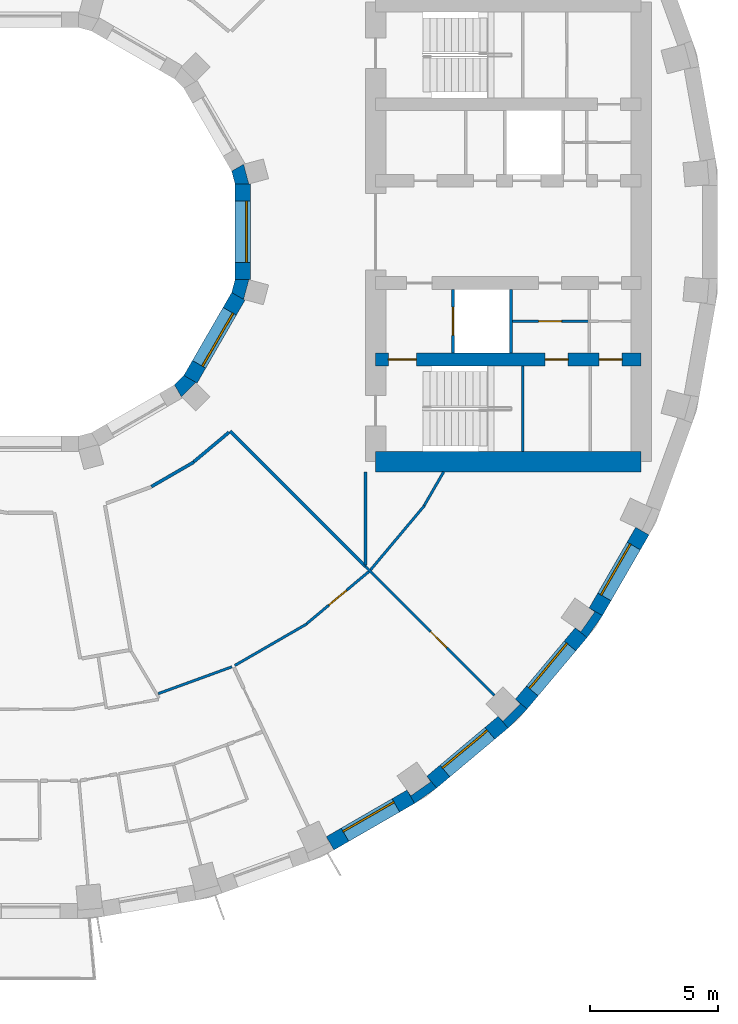
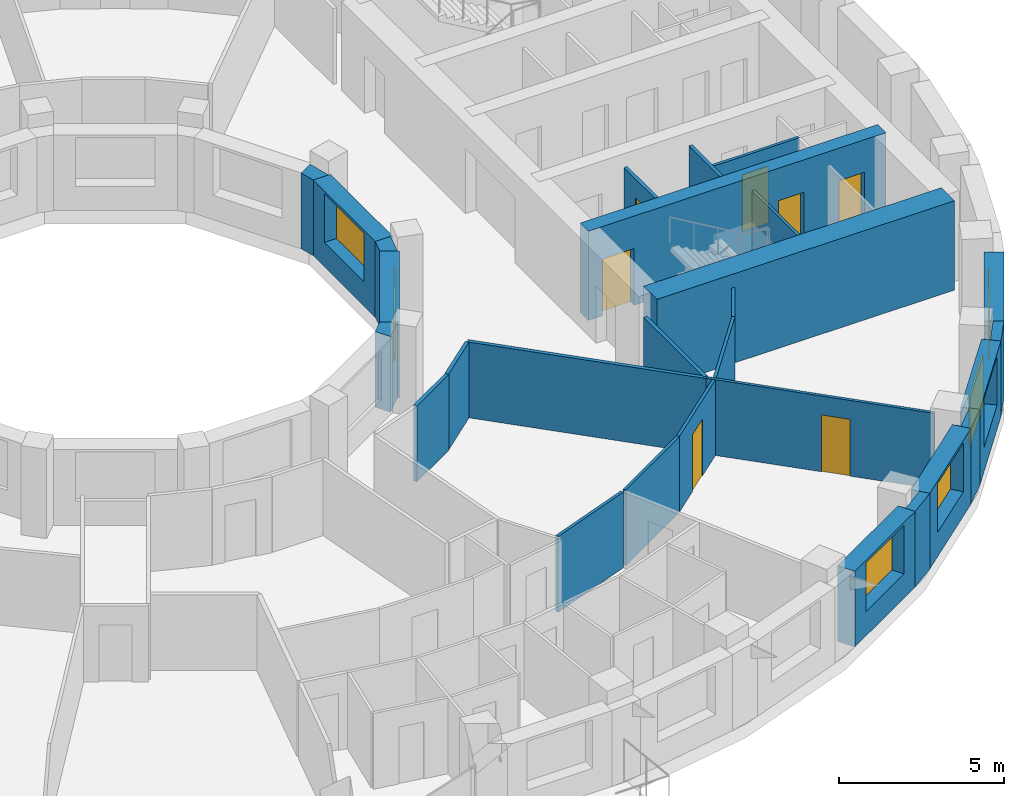
# One storey, part 7 of 14: 28 walls, 7 doors, 6 windows, 13 openings.
"""IFC4 building model written with IfcOpenShell, lengths in metres."""

import ifcopenshell
import ifcopenshell.guid

model = None  # the IFC model being written
_history = None  # IfcOwnerHistory: only IFC2X3 demands one
_inside = {}  # id of a spatial element -> (the spatial element, [elements in it])
_under = {}  # id of a project, library or spatial element -> (it, [spatial elements below it])
_declared = {}  # id of a project -> (the project, [libraries it declares])
_typed = {}  # id of a type object -> (the type object, [elements of that type])
_made_of = {}  # id of a material, layer set ... -> (it, [elements and type objects made of it])


def new_model(schema):
    """Start an empty IFC model of exactly this schema.

    Asked for "IFC4X3", IfcOpenShell would pick the latest addendum, in which some entities
    have other attributes; the version numbers below select the first issue.
    IFC2X3 requires an IfcOwnerHistory on every rooted entity: one is made here for all.
    """
    global model, _history
    if schema == "IFC4X3":
        model = ifcopenshell.file(schema_version=(4, 3, 0, 0))
    else:
        model = ifcopenshell.file(schema=schema)
    _inside.clear()
    _under.clear()
    _declared.clear()
    _typed.clear()
    _made_of.clear()
    _history = None
    if model.schema == "IFC2X3":
        org = make("IfcOrganization", Name="unknown")
        user = make(
            "IfcPersonAndOrganization",
            ThePerson=make("IfcPerson", FamilyName="unknown"),
            TheOrganization=org,
        )
        app = make(
            "IfcApplication",
            ApplicationDeveloper=org,
            Version="unknown",
            ApplicationFullName="unknown",
            ApplicationIdentifier="unknown",
        )
        _history = make(
            "IfcOwnerHistory",
            OwningUser=user,
            OwningApplication=app,
            ChangeAction="ADDED",
            CreationDate=0,
        )
    return model


def make(cls, **values):
    """One entity of the class cls with the attributes given. An attribute that is None is left unset."""
    return model.create_entity(
        cls, **{name: value for name, value in values.items() if value is not None}
    )


def rooted(cls, **values):
    """An entity with a GlobalId (a new one), such as an element, a storey or a relation."""
    return make(cls, GlobalId=ifcopenshell.guid.new(), OwnerHistory=_history, **values)


def si_unit(unit_type, name, prefix=None):
    """IfcSIUnit, for example si_unit("LENGTHUNIT", "METRE", prefix="MILLI")."""
    return make("IfcSIUnit", UnitType=unit_type, Prefix=prefix, Name=name)


def assignment(units):
    """IfcUnitAssignment: the units of a project."""
    return None if units is None else make("IfcUnitAssignment", Units=units)


def point(xyz):
    """IfcCartesianPoint."""
    return None if xyz is None else make("IfcCartesianPoint", Coordinates=xyz)


def direction(xyz):
    """IfcDirection."""
    return None if xyz is None else make("IfcDirection", DirectionRatios=xyz)


def frame(location, z_axis=None, x_axis=None):
    """IfcAxis2Placement3D, a coordinate frame: its origin and axes. An axis left out is left unset."""
    return make(
        "IfcAxis2Placement3D",
        Location=point(location),
        Axis=direction(z_axis),
        RefDirection=direction(x_axis),
    )


def frame_2d(location, x_axis=None):
    """IfcAxis2Placement2D, a coordinate frame in the plane: its origin and x axis."""
    return make(
        "IfcAxis2Placement2D", Location=point(location), RefDirection=direction(x_axis)
    )


def origin():
    """The frame at (0, 0, 0) with its axes left unset."""
    return frame((0.0, 0.0, 0.0))


def place(relative_to, where):
    """IfcLocalPlacement: puts the frame where relative to a parent placement (None: the world)."""
    return make(
        "IfcLocalPlacement", PlacementRelTo=relative_to, RelativePlacement=where
    )


def context(
    kind, dimensions, precision=None, world=None, true_north=None, identifier=None
):
    """IfcGeometricRepresentationContext, for example the 3D "Model" context."""
    return make(
        "IfcGeometricRepresentationContext",
        ContextIdentifier=identifier,
        ContextType=kind,
        CoordinateSpaceDimension=dimensions,
        Precision=precision,
        WorldCoordinateSystem=world,
        TrueNorth=true_north,
    )


def subcontext(parent, identifier, kind, view, scale=None):
    """IfcGeometricRepresentationSubContext, for example "Body" below "Model"."""
    return make(
        "IfcGeometricRepresentationSubContext",
        ContextIdentifier=identifier,
        ContextType=kind,
        ParentContext=parent,
        TargetScale=scale,
        TargetView=view,
    )


def project(units=None, contexts=None):
    """IfcProject with its units and contexts."""
    return rooted(
        "IfcProject",
        Name="project",
        RepresentationContexts=contexts,
        UnitsInContext=assignment(units),
    )


def spatial(cls, under=None, at=None, **own):
    """A site, building, storey or space (cls), placed at a placement, below another one or the project."""
    s = rooted(cls, ObjectPlacement=at, **own)
    if under is not None:
        _under.setdefault(under.id(), (under, []))[1].append(s)
    return s


def polyline(points):
    """IfcPolyline through the points."""
    return make("IfcPolyline", Points=[point(p) for p in points])


def profile(cls, at=None, kind="AREA", **sizes):
    """A parametric profile (cls). Its sizes go by their IFC names, for example OverallWidth=200.0."""
    return make(cls, ProfileType=kind, Position=at, **sizes)


def rectangle(**sizes):
    """IfcRectangleProfileDef."""
    return profile("IfcRectangleProfileDef", **sizes)


def outline(outer, holes=None, kind="AREA"):
    """IfcArbitraryClosedProfileDef: a profile drawn as a closed curve; with holes, ...WithVoids."""
    if holes is None:
        return make("IfcArbitraryClosedProfileDef", ProfileType=kind, OuterCurve=outer)
    return make(
        "IfcArbitraryProfileDefWithVoids",
        ProfileType=kind,
        OuterCurve=outer,
        InnerCurves=holes,
    )


def extrude(swept, where, along, depth):
    """IfcExtrudedAreaSolid: the profile swept, set in the frame where, extruded along a direction by depth."""
    return make(
        "IfcExtrudedAreaSolid",
        SweptArea=swept,
        Position=where,
        ExtrudedDirection=direction(along),
        Depth=depth,
    )


def shape(context_of_items, identifier, shape_type, items):
    """IfcShapeRepresentation: the items that make up one representation, for example the "Body"."""
    return make(
        "IfcShapeRepresentation",
        ContextOfItems=context_of_items,
        RepresentationIdentifier=identifier,
        RepresentationType=shape_type,
        Items=items,
    )


def material(Name=None, Category=None):
    """IfcMaterial."""
    return make("IfcMaterial", Name=Name, Category=Category)


def layer(
    of_material, thickness, ventilated=None, Name=None, Category=None, Priority=None
):
    """IfcMaterialLayer: one layer of a wall or slab, of a material (None: an air gap)."""
    return make(
        "IfcMaterialLayer",
        Material=of_material,
        LayerThickness=thickness,
        IsVentilated=ventilated,
        Name=Name,
        Category=Category,
        Priority=Priority,
    )


def layer_set(layers, Name=None):
    """IfcMaterialLayerSet."""
    return make("IfcMaterialLayerSet", MaterialLayers=layers, LayerSetName=Name)


def made_of(thing, what):
    """Note that an element or type object is made of a material, layer set ...; save() writes the relation."""
    if what is not None:
        _made_of.setdefault(what.id(), (what, []))[1].append(thing)
    return thing


def type_object(cls, material=None, **own):
    """A type object (cls), such as IfcWallType, which elements share."""
    return made_of(rooted(cls, **own), material)


def element(
    cls,
    number,
    at=None,
    inside=None,
    cuts=None,
    type_object=None,
    material=None,
    context=None,
    identifier="Body",
    shape_type=None,
    held_by="IfcProductDefinitionShape",
    body=None,
    shapes=None,
    **own,
):
    """One element of the class cls, such as IfcWall. Its Tag is "e" and its number.

    at: its placement. inside: the storey or other place that contains it. cuts: it is an
    opening in that element (IfcRelVoidsElement). A single representation is given by context,
    identifier, shape_type and body (its items); several are given by shapes. held_by: the class
    of the entity that holds the representations. save() writes the other relations.
    """
    e = rooted(cls, Tag="e%d" % number, ObjectPlacement=at, **own)
    if body is not None:
        shapes = [shape(context, identifier, shape_type, body)]
    if shapes is not None:
        e.Representation = make(held_by, Representations=shapes)
    if inside is not None:
        _inside.setdefault(inside.id(), (inside, []))[1].append(e)
    if cuts is not None:
        rooted(
            "IfcRelVoidsElement", RelatingBuildingElement=cuts, RelatedOpeningElement=e
        )
    if type_object is not None:
        _typed.setdefault(type_object.id(), (type_object, []))[1].append(e)
    return made_of(e, material)


def fill(opening, filler):
    """IfcRelFillsElement: the door or window that sits in an opening."""
    return rooted(
        "IfcRelFillsElement",
        RelatingOpeningElement=opening,
        RelatedBuildingElement=filler,
    )


def aggregate(whole, parts):
    """IfcRelAggregates: a whole, such as a stair, and the parts it consists of."""
    return rooted("IfcRelAggregates", RelatingObject=whole, RelatedObjects=parts)


def save(model, path):
    """Write the relations noted so far, then the file.

    IfcRelAggregates (storeys below a building ...), IfcRelContainedInSpatialStructure (elements
    in a storey), IfcRelDefinesByType, IfcRelAssociatesMaterial and IfcRelDeclares: one each for
    every whole, place, type object, material and project.
    """
    for whole, parts in _under.values():
        aggregate(whole, parts)
    for where, things in _inside.values():
        rooted(
            "IfcRelContainedInSpatialStructure",
            RelatedElements=things,
            RelatingStructure=where,
        )
    for kind, things in _typed.values():
        rooted("IfcRelDefinesByType", RelatedObjects=things, RelatingType=kind)
    for what, things in _made_of.values():
        rooted("IfcRelAssociatesMaterial", RelatedObjects=things, RelatingMaterial=what)
    for by, libraries in _declared.values():
        rooted("IfcRelDeclares", RelatingContext=by, RelatedDefinitions=libraries)
    model.write(path)


model = new_model("IFC4")

# Units and contexts
model_context = context("Model", 3, precision=1e-05, world=origin(), true_north=direction((0.0, 1.0)))
body_context = subcontext(model_context, "Body", "Model", "MODEL_VIEW")
ifc_project = project(units=[si_unit("LENGTHUNIT", "METRE"), si_unit("AREAUNIT", "SQUARE_METRE"), si_unit("VOLUMEUNIT", "CUBIC_METRE"), si_unit("PLANEANGLEUNIT", "RADIAN"), si_unit("MASSUNIT", "GRAM", prefix="KILO")], contexts=[model_context])

# Site, building, storey
site_placement = place(None, origin())
site = spatial("IfcSite", under=ifc_project, at=site_placement, CompositionType="ELEMENT")
building_placement = place(site_placement, origin())
building = spatial("IfcBuilding", under=site, at=building_placement, Name="Saqina Gate Tower", CompositionType="ELEMENT")
storey_placement = place(building_placement, frame((0.0, 0.0, 138.10009765625)))
storey = spatial("IfcBuildingStorey", under=building, at=storey_placement, Name="L39", CompositionType="ELEMENT", Elevation=138.10009765625)

# Walls
ifc_material_1 = material(Name="Brick masonry (buff)", Category="masonry")
wall_type_1 = type_object("IfcWallType", Name="BRICK PIER COPING BUFF", PredefinedType="SOLIDWALL", material=ifc_material_1)
wall_1_placement = place(storey_placement, origin())
element("IfcWall", 1, at=wall_1_placement, inside=storey, type_object=wall_type_1, Name="Pier cap L39 column 31", PredefinedType="SOLIDWALL", context=body_context, shape_type="SweptSolid", body=[
    extrude(outline(polyline([(15.89208984375, -21.77685546875), (15.50634765625, -21.317138671875), (15.66064453125, -21.53759765625), (14.88232421875, -22.08251953125), (14.728271484375, -21.862060546875), (15.0283203125, -22.3818359375), (15.89208984375, -21.77685546875)])), origin(), (0.0, 0.0, 1.0), 2.7998046875),
])
wall_2_placement = place(storey_placement, origin())
element("IfcWall", 2, at=wall_2_placement, inside=storey, type_object=wall_type_1, Name="Pier cap L39 column 32", PredefinedType="SOLIDWALL", context=body_context, shape_type="SweptSolid", body=[
    extrude(outline(polyline([(18.686279296875, -19.43212890625), (19.43212890625, -18.686279296875), (18.972412109375, -18.30078125), (19.16259765625, -18.49072265625), (18.49072265625, -19.16259765625), (18.30078125, -18.972412109375), (18.686279296875, -19.43212890625)])), origin(), (0.0, 0.0, 1.0), 2.7998046875),
])
wall_3_placement = place(storey_placement, origin())
element("IfcWall", 3, at=wall_3_placement, inside=storey, type_object=wall_type_1, Name="Pier cap L39 column 33", PredefinedType="SOLIDWALL", context=body_context, shape_type="SweptSolid", body=[
    extrude(outline(polyline([(22.3818359375, -15.0283203125), (21.862060546875, -14.728271484375), (22.08251953125, -14.88232421875), (21.53759765625, -15.66064453125), (21.317138671875, -15.50634765625), (21.77685546875, -15.89208984375), (22.3818359375, -15.0283203125)])), origin(), (0.0, 0.0, 1.0), 2.7998046875),
])

# Wall, opening, door
ifc_material_2 = material(Name="Gypsum board on steel studs", Category="steel")
ifc_layer_1 = layer(ifc_material_2, 0.10009765625)
ifc_layer_set_1 = layer_set([ifc_layer_1], Name="CORE PARTITION")
wall_type_2 = type_object("IfcWallType", Name="CORE PARTITION", PredefinedType="PARTITIONING", material=ifc_layer_set_1)
wall_4_placement = place(storey_placement, frame((18.81005859375, -3.5, 0.0), z_axis=(0.0, 0.0, 1.0), x_axis=(1.0, 0.0, 0.0)))
wall_4 = element("IfcWall", 4, at=wall_4_placement, inside=storey, type_object=wall_type_2, Name="L39-CP-E10", PredefinedType="PARTITIONING", context=body_context, shape_type="SweptSolid", body=[
    extrude(rectangle(XDim=3.04833984375, YDim=0.10009765625, at=frame_2d((1.524169921875, 0.0))), origin(), (0.0, 0.0, 1.0), 2.7998046875),
])
opening_1_placement = place(wall_4_placement, frame((1.07421875, 0.0, 0.0)))
opening_1 = element("IfcOpeningElement", 5, at=opening_1_placement, cuts=wall_4, Name="Opening G11-D102", PredefinedType="OPENING", context=body_context, shape_type="SweptSolid", body=[
    extrude(rectangle(XDim=0.89990234375, YDim=2.10009765625, at=frame_2d((0.449951171875, 1.050048828125))), frame((0.0, 0.06201171875, 0.0), z_axis=(0.0, -1.0, 0.0), x_axis=(1.0, 0.0, 0.0)), (0.0, 0.0, 1.0), 0.1240234375),
])
ifc_material_3 = material(Name="Steel-framed fire door leaf, EI 60", Category="steel")
door_type_1 = type_object("IfcDoorType", Name="SERVICE ROOM DOOR 900", OperationType="SINGLE_SWING_LEFT", PredefinedType="DOOR", material=ifc_material_3)
door_1_placement = place(opening_1_placement, frame((0.89990234375, 0.0, 0.0), z_axis=(0.0, 0.0, 1.0), x_axis=(-1.0, 0.0, 0.0)))
door_1 = element("IfcDoor", 6, at=door_1_placement, inside=storey, type_object=door_type_1, Name="L39-CD-E13", OperationType="SINGLE_SWING_RIGHT", OverallHeight=2.10009765625, OverallWidth=0.89990234375, PredefinedType="DOOR", context=body_context, shape_type="SweptSolid", body=[
    extrude(rectangle(XDim=0.89990234375, YDim=2.10009765625, at=frame_2d((0.449951171875, 1.050048828125))), frame((0.0, 0.02490234375, 0.0), z_axis=(0.0, -1.0, 0.0), x_axis=(1.0, 0.0, 0.0)), (0.0, 0.0, 1.0), 0.050048828125),
])
fill(opening_1, door_1)

# Wall, opening, window
ifc_material_4 = material(Name="Brick masonry (buff)", Category="masonry")
ifc_layer_2 = layer(ifc_material_4, 0.60009765625)
ifc_layer_set_2 = layer_set([ifc_layer_2], Name="FW-BRICK-BUFF")
wall_type_3 = type_object("IfcWallType", Name="FW-BRICK-BUFF", PredefinedType="SOLIDWALL", material=ifc_layer_set_2)
wall_5_placement = place(storey_placement, frame((11.718994140625, -23.94580078125, 0.0), z_axis=(0.0, 0.0, 1.0), x_axis=(0.866051847062, 0.499954196102, 0.0)))
wall_5 = element("IfcWall", 7, at=wall_5_placement, inside=storey, type_object=wall_type_3, Name="Facade wall L39 facet 30", PredefinedType="SOLIDWALL", context=body_context, shape_type="SweptSolid", body=[
    extrude(rectangle(XDim=3.647705078125, YDim=0.60009765625, at=frame_2d((1.82373046875, 0.0))), origin(), (0.0, 0.0, 1.0), 2.7998046875),
])
opening_2_placement = place(wall_5_placement, frame((0.673828125, 0.0, 0.89990234375)))
opening_2 = element("IfcOpeningElement", 8, at=opening_2_placement, cuts=wall_5, Name="Opening G11-W19", PredefinedType="OPENING", context=body_context, shape_type="SweptSolid", body=[
    extrude(rectangle(XDim=2.300048828125, YDim=1.800048828125, at=frame_2d((1.14990234375, 0.89990234375))), frame((0.0, 0.31201171875, 0.0), z_axis=(0.0, -1.0, 0.0), x_axis=(1.0, 0.0, 0.0)), (0.0, 0.0, 1.0), 0.6240234375),
])
ifc_material_5 = material(Name="Aluminium glazing", Category="aluminium")
window_type_1 = type_object("IfcWindowType", Name="WN-B", PartitioningType="SINGLE_PANEL", PredefinedType="WINDOW", material=ifc_material_5)
window_1_placement = place(opening_2_placement, origin())
window_1 = element("IfcWindow", 9, at=window_1_placement, inside=storey, type_object=window_type_1, Name="Window L39 facet 30", OverallHeight=1.800048828125, OverallWidth=2.300048828125, PartitioningType="SINGLE_PANEL", PredefinedType="WINDOW", context=body_context, shape_type="SweptSolid", body=[
    extrude(rectangle(XDim=2.300048828125, YDim=1.800048828125, at=frame_2d((1.14990234375, 0.89990234375))), frame((0.0, 0.179931640625, 0.0), z_axis=(0.0, -1.0, 0.0), x_axis=(1.0, 0.0, 0.0)), (0.0, 0.0, 1.0), 0.06005859375),
])
fill(opening_2, window_1)

wall_6_placement = place(storey_placement, frame((15.69921875, -21.547119140625, 0.0), z_axis=(0.0, 0.0, 1.0), x_axis=(0.766055462616, 0.642774476932, 0.0)))
wall_6 = element("IfcWall", 10, at=wall_6_placement, inside=storey, type_object=wall_type_3, Name="Facade wall L39 facet 31", PredefinedType="SOLIDWALL", context=body_context, shape_type="SweptSolid", body=[
    extrude(rectangle(XDim=3.647705078125, YDim=0.60009765625, at=frame_2d((1.82373046875, 0.0))), origin(), (0.0, 0.0, 1.0), 2.7998046875),
])
opening_3_placement = place(wall_6_placement, frame((0.673828125, 0.0, 0.89990234375)))
opening_3 = element("IfcOpeningElement", 11, at=opening_3_placement, cuts=wall_6, Name="Opening G11-W20", PredefinedType="OPENING", context=body_context, shape_type="SweptSolid", body=[
    extrude(rectangle(XDim=2.300048828125, YDim=1.800048828125, at=frame_2d((1.14990234375, 0.89990234375))), frame((0.0, 0.31201171875, 0.0), z_axis=(0.0, -1.0, 0.0), x_axis=(1.0, 0.0, 0.0)), (0.0, 0.0, 1.0), 0.6240234375),
])
window_2_placement = place(opening_3_placement, origin())
window_2 = element("IfcWindow", 12, at=window_2_placement, inside=storey, type_object=window_type_1, Name="Window L39 facet 31", OverallHeight=1.800048828125, OverallWidth=2.300048828125, PartitioningType="SINGLE_PANEL", PredefinedType="WINDOW", context=body_context, shape_type="SweptSolid", body=[
    extrude(rectangle(XDim=2.300048828125, YDim=1.800048828125, at=frame_2d((1.14990234375, 0.89990234375))), frame((0.0, 0.179931640625, 0.0), z_axis=(0.0, -1.0, 0.0), x_axis=(1.0, 0.0, 0.0)), (0.0, 0.0, 1.0), 0.06005859375),
])
fill(opening_3, window_2)

wall_7_placement = place(storey_placement, frame((19.202392578125, -18.49365234375, 0.0), z_axis=(0.0, 0.0, 1.0), x_axis=(0.642774476932, 0.766055462616, 0.0)))
wall_7 = element("IfcWall", 13, at=wall_7_placement, inside=storey, type_object=wall_type_3, Name="Facade wall L39 facet 32", PredefinedType="SOLIDWALL", context=body_context, shape_type="SweptSolid", body=[
    extrude(rectangle(XDim=3.647705078125, YDim=0.60009765625, at=frame_2d((1.82373046875, 0.0))), origin(), (0.0, 0.0, 1.0), 2.7998046875),
])
opening_4_placement = place(wall_7_placement, frame((0.673828125, 0.0, 0.89990234375)))
opening_4 = element("IfcOpeningElement", 14, at=opening_4_placement, cuts=wall_7, Name="Opening G11-W21", PredefinedType="OPENING", context=body_context, shape_type="SweptSolid", body=[
    extrude(rectangle(XDim=2.300048828125, YDim=1.800048828125, at=frame_2d((1.14990234375, 0.89990234375))), frame((0.0, 0.31201171875, 0.0), z_axis=(0.0, -1.0, 0.0), x_axis=(1.0, 0.0, 0.0)), (0.0, 0.0, 1.0), 0.6240234375),
])
window_3_placement = place(opening_4_placement, origin())
window_3 = element("IfcWindow", 15, at=window_3_placement, inside=storey, type_object=window_type_1, Name="Window L39 facet 32", OverallHeight=1.800048828125, OverallWidth=2.300048828125, PartitioningType="SINGLE_PANEL", PredefinedType="WINDOW", context=body_context, shape_type="SweptSolid", body=[
    extrude(rectangle(XDim=2.300048828125, YDim=1.800048828125, at=frame_2d((1.14990234375, 0.89990234375))), frame((0.0, 0.179931640625, 0.0), z_axis=(0.0, -1.0, 0.0), x_axis=(1.0, 0.0, 0.0)), (0.0, 0.0, 1.0), 0.06005859375),
])
fill(opening_4, window_3)

wall_8_placement = place(storey_placement, frame((22.1220703125, -14.878173828125, 0.0), z_axis=(0.0, 0.0, 1.0), x_axis=(0.499954196102, 0.866051847062, 0.0)))
wall_8 = element("IfcWall", 16, at=wall_8_placement, inside=storey, type_object=wall_type_3, Name="Facade wall L39 facet 33", PredefinedType="SOLIDWALL", context=body_context, shape_type="SweptSolid", body=[
    extrude(rectangle(XDim=3.647705078125, YDim=0.60009765625, at=frame_2d((1.82373046875, 0.0))), origin(), (0.0, 0.0, 1.0), 2.7998046875),
])
opening_5_placement = place(wall_8_placement, frame((0.673828125, 0.0, 0.89990234375)))
opening_5 = element("IfcOpeningElement", 17, at=opening_5_placement, cuts=wall_8, Name="Opening G11-W22", PredefinedType="OPENING", context=body_context, shape_type="SweptSolid", body=[
    extrude(rectangle(XDim=2.300048828125, YDim=1.800048828125, at=frame_2d((1.14990234375, 0.89990234375))), frame((0.0, 0.31201171875, 0.0), z_axis=(0.0, -1.0, 0.0), x_axis=(1.0, 0.0, 0.0)), (0.0, 0.0, 1.0), 0.6240234375),
])
window_4_placement = place(opening_5_placement, origin())
window_4 = element("IfcWindow", 18, at=window_4_placement, inside=storey, type_object=window_type_1, Name="Window L39 facet 33", OverallHeight=1.800048828125, OverallWidth=2.300048828125, PartitioningType="SINGLE_PANEL", PredefinedType="WINDOW", context=body_context, shape_type="SweptSolid", body=[
    extrude(rectangle(XDim=2.300048828125, YDim=1.800048828125, at=frame_2d((1.14990234375, 0.89990234375))), frame((0.0, 0.179931640625, 0.0), z_axis=(0.0, -1.0, 0.0), x_axis=(1.0, 0.0, 0.0)), (0.0, 0.0, 1.0), 0.06005859375),
])
fill(opening_5, window_4)

ifc_material_6 = material(Name="Glazed ceramic tile", Category="ceramic")
ifc_layer_3 = layer(ifc_material_6, 0.60009765625)
ifc_layer_set_3 = layer_set([ifc_layer_3], Name="IW-TILE")
wall_type_4 = type_object("IfcWallType", Name="IW-TILE", PredefinedType="SOLIDWALL", material=ifc_layer_set_3)
wall_9_placement = place(storey_placement, frame((6.251220703125, -5.772705078125, 0.0), z_axis=(0.0, 0.0, 1.0), x_axis=(0.499964958637, 0.86604563398, 0.0)))
wall_9 = element("IfcWall", 19, at=wall_9_placement, inside=storey, type_object=wall_type_4, Name="Well wall L39 facet 11", PredefinedType="SOLIDWALL", context=body_context, shape_type="SweptSolid", body=[
    extrude(rectangle(XDim=3.747314453125, YDim=0.60009765625, at=frame_2d((1.87353515625, 0.0))), origin(), (0.0, 0.0, 1.0), 2.7998046875),
])
opening_6_placement = place(wall_9_placement, frame((0.673583984375, 0.0, 0.89990234375)))
opening_6 = element("IfcOpeningElement", 20, at=opening_6_placement, cuts=wall_9, Name="Opening G11-W33", PredefinedType="OPENING", context=body_context, shape_type="SweptSolid", body=[
    extrude(rectangle(XDim=2.39990234375, YDim=1.800048828125, at=frame_2d((1.199951171875, 0.89990234375))), frame((0.0, 0.31201171875, 0.0), z_axis=(0.0, -1.0, 0.0), x_axis=(1.0, 0.0, 0.0)), (0.0, 0.0, 1.0), 0.6240234375),
])
ifc_material_7 = material(Name="Aluminium glazing", Category="aluminium")
window_type_2 = type_object("IfcWindowType", Name="WN-W", PartitioningType="SINGLE_PANEL", PredefinedType="WINDOW", material=ifc_material_7)
window_5_placement = place(opening_6_placement, origin())
window_5 = element("IfcWindow", 21, at=window_5_placement, inside=storey, type_object=window_type_2, Name="Well window L39 facet 11", OverallHeight=1.800048828125, OverallWidth=2.39990234375, PartitioningType="SINGLE_PANEL", PredefinedType="WINDOW", context=body_context, shape_type="SweptSolid", body=[
    extrude(rectangle(XDim=2.39990234375, YDim=1.800048828125, at=frame_2d((1.199951171875, 0.89990234375))), frame((0.0, -0.119873046875, 0.0), z_axis=(0.0, -1.0, 0.0), x_axis=(1.0, 0.0, 0.0)), (0.0, 0.0, 1.0), 0.06005859375),
])
fill(opening_6, window_5)

wall_10_placement = place(storey_placement, frame((8.300048828125, -1.873779296875, 0.0), z_axis=(0.0, 0.0, 1.0), x_axis=(0.0, 1.0, 0.0)))
wall_10 = element("IfcWall", 22, at=wall_10_placement, inside=storey, type_object=wall_type_4, Name="Well wall L39 facet 12", PredefinedType="SOLIDWALL", context=body_context, shape_type="SweptSolid", body=[
    extrude(rectangle(XDim=3.74755859375, YDim=0.60009765625, at=frame_2d((1.873779296875, 0.0))), origin(), (0.0, 0.0, 1.0), 2.7998046875),
])
opening_7_placement = place(wall_10_placement, frame((0.673583984375, 0.0, 0.89990234375)))
opening_7 = element("IfcOpeningElement", 23, at=opening_7_placement, cuts=wall_10, Name="Opening G11-W34", PredefinedType="OPENING", context=body_context, shape_type="SweptSolid", body=[
    extrude(rectangle(XDim=2.39990234375, YDim=1.800048828125, at=frame_2d((1.199951171875, 0.89990234375))), frame((0.0, 0.31201171875, 0.0), z_axis=(0.0, -1.0, 0.0), x_axis=(1.0, 0.0, 0.0)), (0.0, 0.0, 1.0), 0.6240234375),
])
window_6_placement = place(opening_7_placement, origin())
window_6 = element("IfcWindow", 24, at=window_6_placement, inside=storey, type_object=window_type_2, Name="Well window L39 facet 12", OverallHeight=1.800048828125, OverallWidth=2.39990234375, PartitioningType="SINGLE_PANEL", PredefinedType="WINDOW", context=body_context, shape_type="SweptSolid", body=[
    extrude(rectangle(XDim=2.39990234375, YDim=1.800048828125, at=frame_2d((1.199951171875, 0.89990234375))), frame((0.0, -0.119873046875, 0.0), z_axis=(0.0, -1.0, 0.0), x_axis=(1.0, 0.0, 0.0)), (0.0, 0.0, 1.0), 0.06005859375),
])
fill(opening_7, window_6)

# Wall, opening, door
ifc_material_8 = material(Name="Gypsum board on steel studs, 100 mm", Category="steel")
ifc_layer_4 = layer(ifc_material_8, 0.10009765625)
ifc_layer_set_4 = layer_set([ifc_layer_4], Name="PARTITION 100")
wall_type_5 = type_object("IfcWallType", Name="PARTITION 100", PredefinedType="PARTITIONING", material=ifc_layer_set_4)
wall_11_placement = place(storey_placement, frame((13.10009765625, -13.10009765625, 0.0), z_axis=(0.0, 0.0, 1.0), x_axis=(0.707106781187, -0.707106781187, 0.0)))
wall_11 = element("IfcWall", 25, at=wall_11_placement, inside=storey, type_object=wall_type_5, Name="PARTITION PW3-22", PredefinedType="PARTITIONING", context=body_context, shape_type="SweptSolid", body=[
    extrude(rectangle(XDim=7.138671875, YDim=0.10009765625, at=frame_2d((3.5693359375, 0.0))), origin(), (0.0, 0.0, 1.0), 2.7998046875),
])
opening_8_placement = place(wall_11_placement, frame((3.60888671875, 0.0, 0.0)))
opening_8 = element("IfcOpeningElement", 26, at=opening_8_placement, cuts=wall_11, Name="Opening G11-D42", PredefinedType="OPENING", context=body_context, shape_type="SweptSolid", body=[
    extrude(rectangle(XDim=0.89990234375, YDim=2.10009765625, at=frame_2d((0.449951171875, 1.050048828125))), frame((0.0, 0.06201171875, 0.0), z_axis=(0.0, -1.0, 0.0), x_axis=(1.0, 0.0, 0.0)), (0.0, 0.0, 1.0), 0.1240234375),
])
ifc_material_9 = material(Name="Timber door leaf, 900 mm", Category="wood")
door_type_2 = type_object("IfcDoorType", Name="DOOR 900 TIMBER", OperationType="SINGLE_SWING_LEFT", PredefinedType="DOOR", material=ifc_material_9)
door_2_placement = place(opening_8_placement, origin())
door_2 = element("IfcDoor", 27, at=door_2_placement, inside=storey, type_object=door_type_2, Name="DOOR G11-D42", OperationType="SINGLE_SWING_RIGHT", OverallHeight=2.10009765625, OverallWidth=0.89990234375, PredefinedType="DOOR", context=body_context, shape_type="SweptSolid", body=[
    extrude(rectangle(XDim=0.89990234375, YDim=2.10009765625, at=frame_2d((0.449951171875, 1.050048828125))), frame((0.0, 0.02490234375, 0.0), z_axis=(0.0, -1.0, 0.0), x_axis=(1.0, 0.0, 0.0)), (0.0, 0.0, 1.0), 0.050048828125),
])
fill(opening_8, door_2)

# Walls
wall_12_placement = place(storey_placement, frame((4.9921875, -18.082275390625, 0.0), z_axis=(0.0, 0.0, 1.0), x_axis=(0.939709725343, 0.341973145284, 0.0)))
element("IfcWall", 28, at=wall_12_placement, inside=storey, type_object=wall_type_5, Name="PARTITION PW3-53", PredefinedType="PARTITIONING", context=body_context, shape_type="SweptSolid", body=[
    extrude(rectangle(XDim=3.06689453125, YDim=0.10009765625, at=frame_2d((1.533447265625, 0.0))), origin(), (0.0, 0.0, 1.0), 2.7998046875),
])
wall_13_placement = place(storey_placement, frame((7.987060546875, -16.980712890625, 0.0), z_axis=(0.0, 0.0, 1.0), x_axis=(0.865989766624, 0.500061720293, 0.0)))
element("IfcWall", 29, at=wall_13_placement, inside=storey, type_object=wall_type_5, Name="PARTITION PW3-58", PredefinedType="PARTITIONING", context=body_context, shape_type="SweptSolid", body=[
    extrude(rectangle(XDim=3.259765625, YDim=0.10009765625, at=frame_2d((1.6298828125, 0.0))), origin(), (0.0, 0.0, 1.0), 2.7998046875),
])

# Wall, opening, door
wall_14_placement = place(storey_placement, frame((10.80419921875, -15.34375, 0.0), z_axis=(0.0, 0.0, 1.0), x_axis=(0.766167094934, 0.642641410618, 0.0)))
wall_14 = element("IfcWall", 30, at=wall_14_placement, inside=storey, type_object=wall_type_5, Name="PARTITION PW3-63", PredefinedType="PARTITIONING", context=body_context, shape_type="SweptSolid", body=[
    extrude(rectangle(XDim=3.172119140625, YDim=0.10009765625, at=frame_2d((1.5859375, 0.0))), origin(), (0.0, 0.0, 1.0), 2.7998046875),
])
opening_9_placement = place(wall_14_placement, frame((1.135986328125, 0.0, 0.0)))
opening_9 = element("IfcOpeningElement", 31, at=opening_9_placement, cuts=wall_14, Name="Opening G11-D41", PredefinedType="OPENING", context=body_context, shape_type="SweptSolid", body=[
    extrude(rectangle(XDim=0.89990234375, YDim=2.10009765625, at=frame_2d((0.449951171875, 1.050048828125))), frame((0.0, 0.06201171875, 0.0), z_axis=(0.0, -1.0, 0.0), x_axis=(1.0, 0.0, 0.0)), (0.0, 0.0, 1.0), 0.1240234375),
])
door_3_placement = place(opening_9_placement, origin())
door_3 = element("IfcDoor", 32, at=door_3_placement, inside=storey, type_object=door_type_2, Name="DOOR G11-D41", OperationType="SINGLE_SWING_LEFT", OverallHeight=2.10009765625, OverallWidth=0.89990234375, PredefinedType="DOOR", context=body_context, shape_type="SweptSolid", body=[
    extrude(rectangle(XDim=0.89990234375, YDim=2.10009765625, at=frame_2d((0.449951171875, 1.050048828125))), frame((0.0, 0.02490234375, 0.0), z_axis=(0.0, -1.0, 0.0), x_axis=(1.0, 0.0, 0.0)), (0.0, 0.0, 1.0), 0.050048828125),
])
fill(opening_9, door_3)

# Walls
wall_15_placement = place(storey_placement, frame((13.30517578125, -13.234619140625, 0.0), z_axis=(0.0, 0.0, 1.0), x_axis=(0.642682886784, 0.766132303871, 0.0)))
element("IfcWall", 33, at=wall_15_placement, inside=storey, type_object=wall_type_5, Name="PARTITION PW3-68", PredefinedType="PARTITIONING", context=body_context, shape_type="SweptSolid", body=[
    extrude(rectangle(XDim=3.27294921875, YDim=0.10009765625, at=frame_2d((1.636474609375, 0.0))), origin(), (0.0, 0.0, 1.0), 2.7998046875),
])
wall_16_placement = place(storey_placement, frame((15.401123046875, -10.72265625, 0.0), z_axis=(0.0, 0.0, 1.0), x_axis=(0.500035603698, 0.866004847004, 0.0)))
element("IfcWall", 34, at=wall_16_placement, inside=storey, type_object=wall_type_5, Name="PARTITION PW3-74", PredefinedType="PARTITIONING", context=body_context, shape_type="SweptSolid", body=[
    extrude(rectangle(XDim=1.52978515625, YDim=0.10009765625, at=frame_2d((0.764892578125, 0.0))), origin(), (0.0, 0.0, 1.0), 2.7998046875),
])
ifc_material_10 = material(Name="Gypsum board on steel studs, 125 mm, fire rated", Category="steel")
ifc_layer_5 = layer(ifc_material_10, 0.125)
ifc_layer_set_5 = layer_set([ifc_layer_5], Name="PARTITION EI 30 125")
wall_type_6 = type_object("IfcWallType", Name="PARTITION EI 30 125", PredefinedType="PARTITIONING", material=ifc_layer_set_5)
wall_17_placement = place(storey_placement, frame((7.80810546875, -7.80810546875, 0.0), z_axis=(0.0, 0.0, 1.0), x_axis=(0.707106781187, -0.707106781187, 0.0)))
element("IfcWall", 35, at=wall_17_placement, inside=storey, type_object=wall_type_6, Name="PARTITION PW1-07", PredefinedType="PARTITIONING", context=body_context, shape_type="SweptSolid", body=[
    extrude(rectangle(XDim=7.48388671875, YDim=0.125, at=frame_2d((3.741943359375, 0.0))), origin(), (0.0, 0.0, 1.0), 2.7998046875),
])
wall_18_placement = place(storey_placement, frame((4.72119140625, -9.975830078125, 0.0), z_axis=(0.0, 0.0, 1.0), x_axis=(0.865946867621, 0.500136003959, 0.0)))
element("IfcWall", 36, at=wall_18_placement, inside=storey, type_object=wall_type_6, Name="PARTITION PW1-31", PredefinedType="PARTITIONING", context=body_context, shape_type="SweptSolid", body=[
    extrude(rectangle(XDim=1.9248046875, YDim=0.125, at=frame_2d((0.96240234375, 0.0))), origin(), (0.0, 0.0, 1.0), 2.7998046875),
])
wall_19_placement = place(storey_placement, frame((6.380859375, -9.0048828125, 0.0), z_axis=(0.0, 0.0, 1.0), x_axis=(0.766182926266, 0.642622535785, 0.0)))
element("IfcWall", 37, at=wall_19_placement, inside=storey, type_object=wall_type_6, Name="PARTITION PW1-34", PredefinedType="PARTITIONING", context=body_context, shape_type="SweptSolid", body=[
    extrude(rectangle(XDim=1.800048828125, YDim=0.125, at=frame_2d((0.89990234375, 0.0))), origin(), (0.0, 0.0, 1.0), 2.7998046875),
])
wall_20_placement = place(storey_placement, frame((13.10009765625, -13.03759765625, 0.0), z_axis=(0.0, 0.0, 1.0), x_axis=(0.0, 1.0, 0.0)))
element("IfcWall", 38, at=wall_20_placement, inside=storey, type_object=wall_type_6, Name="PARTITION PW1-45", PredefinedType="PARTITIONING", context=body_context, shape_type="SweptSolid", body=[
    extrude(rectangle(XDim=3.6376953125, YDim=0.125, at=frame_2d((1.81884765625, 0.0))), origin(), (0.0, 0.0, 1.0), 2.7998046875),
])

# Wall, opening, door
ifc_material_11 = material(Name="Autoclaved aerated concrete block", Category="concrete")
ifc_layer_6 = layer(ifc_material_11, 0.1201171875)
ifc_layer_set_6 = layer_set([ifc_layer_6], Name="SHAFT PARTITION")
wall_type_7 = type_object("IfcWallType", Name="SHAFT PARTITION", PredefinedType="PARTITIONING", material=ifc_layer_set_6)
wall_21_placement = place(storey_placement, frame((16.530029296875, -4.75, 0.0), z_axis=(0.0, 0.0, 1.0), x_axis=(0.0, 1.0, 0.0)))
wall_21 = element("IfcWall", 39, at=wall_21_placement, inside=storey, type_object=wall_type_7, Name="L39-CP-E05", PredefinedType="PARTITIONING", context=body_context, shape_type="SweptSolid", body=[
    extrude(rectangle(XDim=2.5, YDim=0.1201171875, at=frame_2d((1.25, 0.0))), origin(), (0.0, 0.0, 1.0), 2.7998046875),
])
opening_10_placement = place(wall_21_placement, frame((0.699951171875, 0.0, 0.0)))
opening_10 = element("IfcOpeningElement", 40, at=opening_10_placement, cuts=wall_21, Name="Opening G11-LD2", PredefinedType="OPENING", context=body_context, shape_type="SweptSolid", body=[
    extrude(rectangle(XDim=1.10009765625, YDim=2.10009765625, at=frame_2d((0.550048828125, 1.050048828125))), frame((0.0, 0.072021484375, 0.0), z_axis=(0.0, -1.0, 0.0), x_axis=(1.0, 0.0, 0.0)), (0.0, 0.0, 1.0), 0.14404296875),
])
ifc_material_12 = material(Name="Stainless steel", Category="steel")
door_type_3 = type_object("IfcDoorType", Name="LANDING DOOR", OperationType="DOUBLE_DOOR_SLIDING", PredefinedType="DOOR", material=ifc_material_12)
door_4_placement = place(opening_10_placement, origin())
door_4 = element("IfcDoor", 41, at=door_4_placement, inside=storey, type_object=door_type_3, Name="LANDING DOOR FF1", OperationType="DOUBLE_DOOR_SLIDING", OverallHeight=2.10009765625, OverallWidth=1.10009765625, PredefinedType="DOOR", context=body_context, shape_type="SweptSolid", body=[
    extrude(rectangle(XDim=1.10009765625, YDim=2.10009765625, at=frame_2d((0.550048828125, 1.050048828125))), frame((0.0, 0.02490234375, 0.0), z_axis=(0.0, -1.0, 0.0), x_axis=(1.0, 0.0, 0.0)), (0.0, 0.0, 1.0), 0.050048828125),
])
fill(opening_10, door_4)

# Walls
wall_22_placement = place(storey_placement, frame((18.81005859375, -4.75, 0.0), z_axis=(0.0, 0.0, 1.0), x_axis=(0.0, 1.0, 0.0)))
element("IfcWall", 42, at=wall_22_placement, inside=storey, type_object=wall_type_7, Name="L39-CP-E06", PredefinedType="PARTITIONING", context=body_context, shape_type="SweptSolid", body=[
    extrude(rectangle(XDim=2.5, YDim=0.1201171875, at=frame_2d((1.25, 0.0))), origin(), (0.0, 0.0, 1.0), 2.7998046875),
])
ifc_material_13 = material(Name="Autoclaved aerated concrete block", Category="concrete")
ifc_layer_7 = layer(ifc_material_13, 0.10009765625)
ifc_layer_set_7 = layer_set([ifc_layer_7], Name="STAIR ENCLOSURE WALL")
wall_type_8 = type_object("IfcWallType", Name="STAIR ENCLOSURE WALL", PredefinedType="PARTITIONING", material=ifc_layer_set_7)
wall_23_placement = place(storey_placement, frame((19.27001953125, -8.60009765625, 0.0), z_axis=(0.0, 0.0, 1.0), x_axis=(0.0, 1.0, 0.0)))
element("IfcWall", 43, at=wall_23_placement, inside=storey, type_object=wall_type_8, Name="L39-CP-E14", PredefinedType="PARTITIONING", context=body_context, shape_type="SweptSolid", body=[
    extrude(rectangle(XDim=3.35009765625, YDim=0.10009765625, at=frame_2d((1.675048828125, 0.0))), origin(), (0.0, 0.0, 1.0), 2.7998046875),
])

# Wall, openings, doors
ifc_material_14 = material(Name="Concrete C70/85", Category="concrete")
ifc_layer_8 = layer(ifc_material_14, 0.5)
ifc_layer_set_8 = layer_set([ifc_layer_8], Name="Concrete C70/85")
wall_type_9 = type_object("IfcWallType", Name="STR-CORE WALL-B-I", PredefinedType="SHEAR", material=ifc_layer_set_8)
wall_24_placement = place(storey_placement, frame((13.5, -5.0, 0.0), z_axis=(0.0, 0.0, 1.0), x_axis=(1.0, 0.0, 0.0)))
wall_24 = element("IfcWall", 44, at=wall_24_placement, inside=storey, type_object=wall_type_9, Name="CORE WALL L39 E-X2", PredefinedType="SHEAR", context=body_context, shape_type="SweptSolid", body=[
    extrude(rectangle(XDim=10.39990234375, YDim=0.5, at=frame_2d((5.199951171875, 0.0))), origin(), (0.0, 0.0, 1.0), 3.2998046875),
])
opening_11_placement = place(wall_24_placement, frame((6.63916015625, 0.0, 0.0)))
opening_11 = element("IfcOpeningElement", 45, at=opening_11_placement, cuts=wall_24, Name="Opening G11-D103", PredefinedType="OPENING", context=body_context, shape_type="SweptSolid", body=[
    extrude(rectangle(XDim=0.89990234375, YDim=2.10009765625, at=frame_2d((0.449951171875, 1.050048828125))), frame((0.0, 0.261962890625, 0.0), z_axis=(0.0, -1.0, 0.0), x_axis=(1.0, 0.0, 0.0)), (0.0, 0.0, 1.0), 0.52392578125),
])
opening_12_placement = place(wall_24_placement, frame((8.755859375, 0.0, 0.0)))
opening_12 = element("IfcOpeningElement", 46, at=opening_12_placement, cuts=wall_24, Name="Opening G11-D104", PredefinedType="OPENING", context=body_context, shape_type="SweptSolid", body=[
    extrude(rectangle(XDim=0.89990234375, YDim=2.10009765625, at=frame_2d((0.449951171875, 1.050048828125))), frame((0.0, 0.261962890625, 0.0), z_axis=(0.0, -1.0, 0.0), x_axis=(1.0, 0.0, 0.0)), (0.0, 0.0, 1.0), 0.52392578125),
])
opening_13_placement = place(wall_24_placement, frame((0.5, 0.0, 0.0)))
opening_13 = element("IfcOpeningElement", 47, at=opening_13_placement, cuts=wall_24, Name="Opening G11-D105", PredefinedType="OPENING", context=body_context, shape_type="SweptSolid", body=[
    extrude(rectangle(XDim=1.10009765625, YDim=2.10009765625, at=frame_2d((0.550048828125, 1.050048828125))), frame((0.0, 0.261962890625, 0.0), z_axis=(0.0, -1.0, 0.0), x_axis=(1.0, 0.0, 0.0)), (0.0, 0.0, 1.0), 0.52392578125),
])
ifc_material_15 = material(Name="Steel", Category="steel")
door_type_4 = type_object("IfcDoorType", Name="FIRE LOBBY DOOR EI 60 WIDE", OperationType="SINGLE_SWING_LEFT", PredefinedType="DOOR", material=ifc_material_15)
door_5_placement = place(opening_13_placement, frame((1.10009765625, 0.0, 0.0), z_axis=(0.0, 0.0, 1.0), x_axis=(-1.0, 0.0, 0.0)))
door_5 = element("IfcDoor", 48, at=door_5_placement, inside=storey, type_object=door_type_4, Name="L39-CD-E16", OperationType="SINGLE_SWING_RIGHT", OverallHeight=2.10009765625, OverallWidth=1.10009765625, PredefinedType="DOOR", context=body_context, shape_type="SweptSolid", body=[
    extrude(rectangle(XDim=1.10009765625, YDim=2.10009765625, at=frame_2d((0.550048828125, 1.050048828125))), frame((0.0, 0.02490234375, 0.0), z_axis=(0.0, -1.0, 0.0), x_axis=(1.0, 0.0, 0.0)), (0.0, 0.0, 1.0), 0.050048828125),
])
fill(opening_13, door_5)
door_6_placement = place(opening_11_placement, frame((0.89990234375, 0.0, 0.0), z_axis=(0.0, 0.0, 1.0), x_axis=(-1.0, 0.0, 0.0)))
door_6 = element("IfcDoor", 49, at=door_6_placement, inside=storey, type_object=door_type_1, Name="L39-CD-E14", OperationType="SINGLE_SWING_LEFT", OverallHeight=2.10009765625, OverallWidth=0.89990234375, PredefinedType="DOOR", context=body_context, shape_type="SweptSolid", body=[
    extrude(rectangle(XDim=0.89990234375, YDim=2.10009765625, at=frame_2d((0.449951171875, 1.050048828125))), frame((0.0, 0.02490234375, 0.0), z_axis=(0.0, -1.0, 0.0), x_axis=(1.0, 0.0, 0.0)), (0.0, 0.0, 1.0), 0.050048828125),
])
fill(opening_11, door_6)
door_7_placement = place(opening_12_placement, frame((0.89990234375, 0.0, 0.0), z_axis=(0.0, 0.0, 1.0), x_axis=(-1.0, 0.0, 0.0)))
door_7 = element("IfcDoor", 50, at=door_7_placement, inside=storey, type_object=door_type_1, Name="L39-CD-E15", OperationType="SINGLE_SWING_LEFT", OverallHeight=2.10009765625, OverallWidth=0.89990234375, PredefinedType="DOOR", context=body_context, shape_type="SweptSolid", body=[
    extrude(rectangle(XDim=0.89990234375, YDim=2.10009765625, at=frame_2d((0.449951171875, 1.050048828125))), frame((0.0, 0.02490234375, 0.0), z_axis=(0.0, -1.0, 0.0), x_axis=(1.0, 0.0, 0.0)), (0.0, 0.0, 1.0), 0.050048828125),
])
fill(opening_12, door_7)

# Walls
ifc_material_16 = material(Name="Concrete C70/85", Category="concrete")
ifc_layer_9 = layer(ifc_material_16, 0.800048828125)
ifc_layer_set_9 = layer_set([ifc_layer_9], Name="Concrete C70/85")
wall_type_10 = type_object("IfcWallType", Name="STR-CORE WALL-B-O", PredefinedType="SHEAR", material=ifc_layer_set_9)
wall_25_placement = place(storey_placement, frame((13.5, -9.0, 0.0), z_axis=(0.0, 0.0, 1.0), x_axis=(1.0, 0.0, 0.0)))
element("IfcWall", 51, at=wall_25_placement, inside=storey, type_object=wall_type_10, Name="CORE WALL L39 E-SE", PredefinedType="SHEAR", context=body_context, shape_type="SweptSolid", body=[
    extrude(rectangle(XDim=10.39990234375, YDim=0.800048828125, at=frame_2d((5.199951171875, 0.0))), origin(), (0.0, 0.0, 1.0), 3.2998046875),
])
ifc_material_17 = material(Name="Glazed ceramic tile", Category="ceramic")
wall_type_11 = type_object("IfcWallType", Name="TILE PIER COPING", PredefinedType="SOLIDWALL", material=ifc_material_17)
wall_26_placement = place(storey_placement, origin())
element("IfcWall", 52, at=wall_26_placement, inside=storey, type_object=wall_type_11, Name="Well pier cap L39 column 1", PredefinedType="SOLIDWALL", context=body_context, shape_type="SweptSolid", body=[
    extrude(outline(polyline([(8.3310546875, 2.646484375), (7.864990234375, 2.377197265625), (8.0, 1.873779296875), (8.5380859375, 1.873779296875), (8.3310546875, 2.646484375)])), origin(), (0.0, 0.0, 1.0), 2.7998046875),
])
wall_27_placement = place(storey_placement, origin())
element("IfcWall", 53, at=wall_27_placement, inside=storey, type_object=wall_type_11, Name="Well pier cap L39 column 11", PredefinedType="SOLIDWALL", context=body_context, shape_type="SweptSolid", body=[
    extrude(outline(polyline([(5.891845703125, -6.45751953125), (6.45751953125, -5.891845703125), (5.991455078125, -5.622802734375), (5.622802734375, -5.991455078125), (5.891845703125, -6.45751953125)])), origin(), (0.0, 0.0, 1.0), 2.7998046875),
])
wall_28_placement = place(storey_placement, origin())
element("IfcWall", 54, at=wall_28_placement, inside=storey, type_object=wall_type_11, Name="Well pier cap L39 column 12", PredefinedType="SOLIDWALL", context=body_context, shape_type="SweptSolid", body=[
    extrude(outline(polyline([(8.5380859375, -1.873779296875), (8.0, -1.873779296875), (7.864990234375, -2.377197265625), (8.3310546875, -2.646484375), (8.5380859375, -1.873779296875)])), origin(), (0.0, 0.0, 1.0), 2.7998046875),
])

save(model, "model.ifc")
